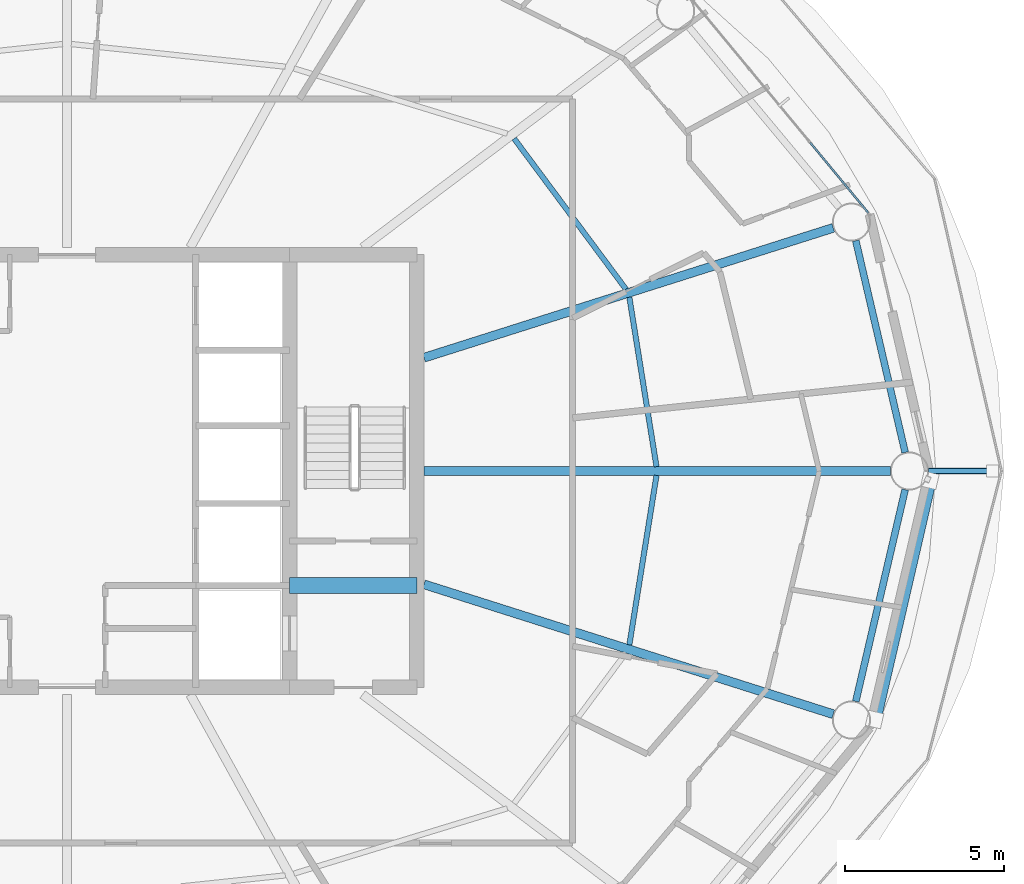
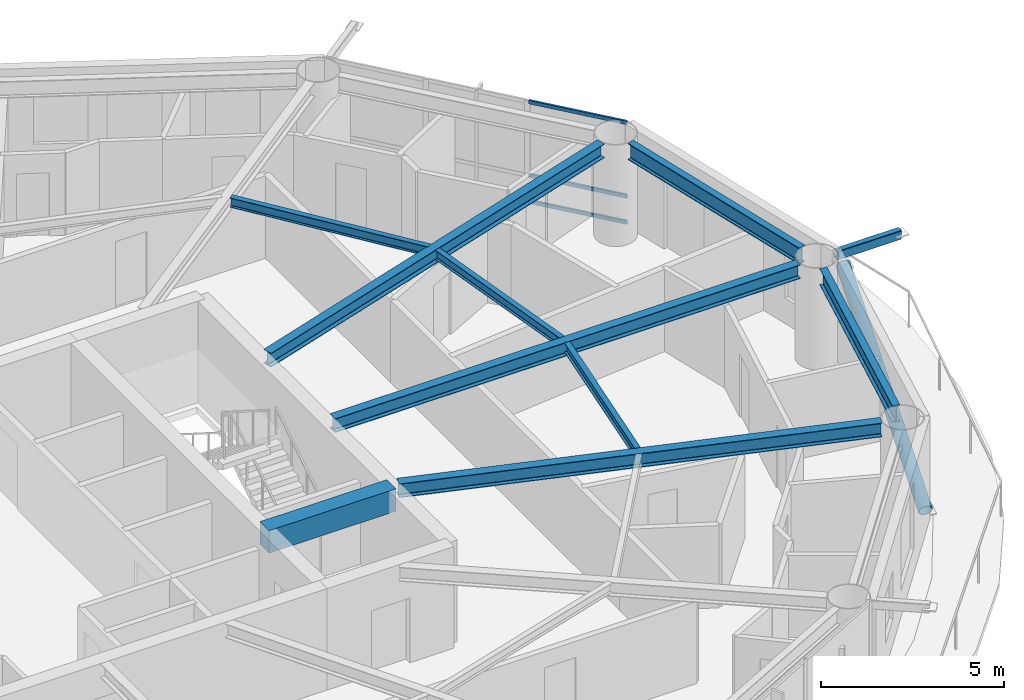
# One storey, part 8 of 28: 9 beams, 5 members, 1 element without a shape of its own.
"""IFC4 building model written with IfcOpenShell, lengths in metres."""

from ifc_helpers import new_model, si_unit, direction, frame, origin, origin_2d, place, context, subcontext, project, spatial, rectangle, hollow_rectangle, hollow_circle, i_section, extrude, material, layer, layer_set, material_profile, profile_set, type_object, element, aggregate, save


model = new_model("IFC4")

# Units and contexts
model_context = context("Model", 3, precision=1e-05, world=origin(), true_north=direction((0.0, 1.0)))
body_context = subcontext(model_context, "Body", "Model", "MODEL_VIEW")
ifc_project = project(units=[si_unit("LENGTHUNIT", "METRE"), si_unit("AREAUNIT", "SQUARE_METRE"), si_unit("VOLUMEUNIT", "CUBIC_METRE"), si_unit("PLANEANGLEUNIT", "RADIAN"), si_unit("MASSUNIT", "GRAM", prefix="KILO")], contexts=[model_context])

# Site, building, storey
site_placement = place(None, origin())
site = spatial("IfcSite", under=ifc_project, at=site_placement, CompositionType="ELEMENT")
building_placement = place(site_placement, origin())
building = spatial("IfcBuilding", under=site, at=building_placement, Name="Sarneth Arch Tower", CompositionType="ELEMENT")
storey_placement = place(building_placement, frame((0.0, 0.0, 190.199951171875)))
storey = spatial("IfcBuildingStorey", under=building, at=storey_placement, Name="L48", CompositionType="ELEMENT", Elevation=190.199951171875)

# Beams
ifc_material_1 = material(Name="Steel S355", Category="steel")
ifc_material_profile_1 = material_profile(ifc_material_1, i_section(OverallWidth=0.1669921875, OverallDepth=0.31689453125, WebThickness=0.007568359375, FlangeThickness=0.01318359375, FilletRadius=0.012939453125, at=origin_2d()), Name="W310x52")
ifc_profile_set_1 = profile_set([ifc_material_profile_1], Name="Steel S355")
beam_type_1 = type_object("IfcBeamType", Name="BM-JOIST-310B", PredefinedType="JOIST", material=ifc_profile_set_1)
beam_1_placement = place(storey_placement, frame((66.533935546875, 42.13818359375, 3.221435546875), z_axis=(-0.158348792374, 0.987383238643, 0.0), x_axis=(-0.987383238643, -0.158348792374, 0.0)))
element("IfcBeam", 1, at=beam_1_placement, inside=storey, type_object=beam_type_1, Name="L48 Secondary floor joist 01", PredefinedType="JOIST", context=body_context, shape_type="SweptSolid", body=[
    extrude(i_section(OverallWidth=0.1669921875, OverallDepth=0.31689453125, WebThickness=0.007568359375, FlangeThickness=0.01318359375, FilletRadius=0.012939453125, at=origin_2d()), origin(), (0.0, 0.0, 1.0), 5.394775390625),
])
beam_2_placement = place(storey_placement, frame((65.57421875, 47.715576171875, 3.221435546875), z_axis=(-0.596190586674, 0.802842938788, 0.0), x_axis=(-0.802842938788, -0.596190586674, 0.0)))
element("IfcBeam", 2, at=beam_2_placement, inside=storey, type_object=beam_type_1, Name="L48 Secondary floor joist 02", PredefinedType="JOIST", context=body_context, shape_type="SweptSolid", body=[
    extrude(i_section(OverallWidth=0.1669921875, OverallDepth=0.31689453125, WebThickness=0.007568359375, FlangeThickness=0.01318359375, FilletRadius=0.012939453125, at=origin_2d()), origin(), (0.0, 0.0, 1.0), 5.896484375),
])
beam_3_placement = place(storey_placement, frame((65.6796875, 36.53515625, 3.221435546875), z_axis=(0.158348792374, 0.987383238643, 0.0), x_axis=(-0.987383238643, 0.158348792374, 0.0)))
element("IfcBeam", 3, at=beam_3_placement, inside=storey, type_object=beam_type_1, Name="L48 Secondary floor joist 16", PredefinedType="JOIST", context=body_context, shape_type="SweptSolid", body=[
    extrude(i_section(OverallWidth=0.1669921875, OverallDepth=0.31689453125, WebThickness=0.007568359375, FlangeThickness=0.01318359375, FilletRadius=0.012939453125, at=origin_2d()), origin(), (0.0, 0.0, 1.0), 5.394775390625),
])
ifc_material_2 = material(Name="Concrete C50/60", Category="concrete")
ifc_material_profile_2 = material_profile(ifc_material_2, rectangle(XDim=0.5, YDim=0.75, at=origin_2d()), Name="RC-500x750")
ifc_profile_set_2 = profile_set([ifc_material_profile_2], Name="Concrete C50/60")
beam_type_2 = type_object("IfcBeamType", Name="BM-LINTEL-RC", PredefinedType="LINTEL", material=ifc_profile_set_2)
beam_4_placement = place(storey_placement, frame((55.0, 38.39990234375, 3.005126953125), z_axis=(1.0, 0.0, 0.0), x_axis=(0.0, 1.0, 0.0)))
element("IfcBeam", 4, at=beam_4_placement, inside=storey, type_object=beam_type_2, Name="L48 Core coupling lintel E", PredefinedType="LINTEL", context=body_context, shape_type="SweptSolid", body=[
    extrude(rectangle(XDim=0.5, YDim=0.75, at=origin_2d()), origin(), (0.0, 0.0, 1.0), 4.0),
])
ifc_material_3 = material(Name="Steel S355", Category="steel")
ifc_material_profile_3 = material_profile(ifc_material_3, i_section(OverallWidth=0.280029296875, OverallDepth=0.462890625, WebThickness=0.0107421875, FlangeThickness=0.017333984375, FilletRadius=0.01806640625, at=origin_2d()), Name="W460x113")
ifc_profile_set_3 = profile_set([ifc_material_profile_3], Name="Steel S355")
beam_type_3 = type_object("IfcBeamType", Name="BM-RAD-460A", PredefinedType="BEAM", material=ifc_profile_set_3)
beam_5_placement = place(storey_placement, frame((59.22509765625, 42.0, 3.1484375), z_axis=(1.0, 0.0, 0.0), x_axis=(0.0, 1.0, 0.0)))
element("IfcBeam", 5, at=beam_5_placement, inside=storey, type_object=beam_type_3, Name="L48 Radial floor girder 01", PredefinedType="BEAM", context=body_context, shape_type="SweptSolid", body=[
    extrude(i_section(OverallWidth=0.280029296875, OverallDepth=0.462890625, WebThickness=0.0107421875, FlangeThickness=0.017333984375, FilletRadius=0.01806640625, at=origin_2d()), origin(), (0.0, 0.0, 1.0), 14.661865234375),
])
for number, where, z_axis, x_axis, name in (
    (6, (59.22509765625, 45.56201171875, 3.1484375), (0.95316541071, 0.30244949963, 0.0), (-0.30244949963, 0.95316541071, 0.0), "L48 Radial floor girder 02"),
    (7, (59.22509765625, 38.43798828125, 3.1484375), (0.95316541071, -0.30244949963, 0.0), (0.30244949963, 0.95316541071, 0.0), "L48 Radial floor girder 16"),
):
    element("IfcBeam", number, at=place(storey_placement, frame(where, z_axis=z_axis, x_axis=x_axis)), inside=storey, type_object=beam_type_3, Name=name, PredefinedType="BEAM", context=body_context, shape_type="SweptSolid", body=[
        extrude(i_section(OverallWidth=0.280029296875, OverallDepth=0.462890625, WebThickness=0.0107421875, FlangeThickness=0.017333984375, FilletRadius=0.01806640625, at=origin_2d()), origin(), (0.0, 0.0, 1.0), 13.497314453125),
    ])
ifc_material_4 = material(Name="Steel S355", Category="steel")
ifc_material_profile_4 = material_profile(ifc_material_4, i_section(OverallWidth=0.214111328125, OverallDepth=0.549072265625, WebThickness=0.0146484375, FlangeThickness=0.023681640625, FilletRadius=0.01806640625, at=origin_2d()), Name="W530x138")
ifc_profile_set_4 = profile_set([ifc_material_profile_4], Name="Steel S355")
beam_type_4 = type_object("IfcBeamType", Name="BM-RAD-530A", PredefinedType="BEAM", material=ifc_profile_set_4)
for number, where, z_axis, x_axis, name in (
    (8, (74.350830078125, 42.584228515625, 3.10546875), (-0.227109937572, 0.973869126863, 0.0), (-0.973869126863, -0.227109937572, 0.0), "L48 Perimeter spandrel beam 01"),
    (9, (72.79833984375, 34.758544921875, 3.10546875), (0.227109937572, 0.973869126863, 0.0), (-0.973869126863, 0.227109937572, 0.0), "L48 Perimeter spandrel beam 16"),
):
    element("IfcBeam", number, at=place(storey_placement, frame(where, z_axis=z_axis, x_axis=x_axis)), inside=storey, type_object=beam_type_4, Name=name, PredefinedType="BEAM", context=body_context, shape_type="SweptSolid", body=[
        extrude(i_section(OverallWidth=0.214111328125, OverallDepth=0.549072265625, WebThickness=0.0146484375, FlangeThickness=0.023681640625, FilletRadius=0.01806640625, at=origin_2d()), origin(), (0.0, 0.0, 1.0), 6.8359375),
    ])

# Curtain wall, members
ifc_material_5 = material(Name="Anodised aluminium Type AA25 and solar-control low-e laminated IGU", Category="aluminium")
ifc_layer = layer(ifc_material_5, 0.169921875)
ifc_layer_set = layer_set([ifc_layer], Name="Anodised aluminium Type AA25 and solar-control low-e laminated IGU")
curtain_wall_type = type_object("IfcCurtainWallType", Name="CW-RES-MID", PredefinedType="NOTDEFINED", material=ifc_layer_set)
curtain_wall_placement = place(storey_placement, origin())
curtain_wall = element("IfcCurtainWall", 10, at=curtain_wall_placement, inside=storey, type_object=curtain_wall_type, Name="L48 Unitised curtain wall facet 02", PredefinedType="NOTDEFINED")
ifc_material_6 = material(Name="Anodised Aluminium 6063-T6", Category="aluminium")
ifc_material_profile_5 = material_profile(ifc_material_6, hollow_rectangle(XDim=0.06005859375, YDim=0.1201171875, WallThickness=0.00390625, at=origin_2d()), Name="AL-TRAN-120x60x4")
ifc_profile_set_5 = profile_set([ifc_material_profile_5], Name="Anodised Aluminium 6063-T6")
member_type_1 = type_object("IfcMemberType", Name="CW-TRANSOM", PredefinedType="USERDEFINED", material=ifc_profile_set_5)
member_1_placement = place(storey_placement, frame((73.194091796875, 50.11328125, 0.030029296875), z_axis=(-0.637358651504, 0.770567290607, 0.0), x_axis=(-0.770567290607, -0.637358651504, 0.0)))
member_1 = element("IfcMember", 11, at=member_1_placement, type_object=member_type_1, Name="CW-SYS-5 transom 1.1", ObjectType="TRANSOM", PredefinedType="USERDEFINED", context=body_context, shape_type="SweptSolid", body=[
    extrude(hollow_rectangle(XDim=0.06005859375, YDim=0.1201171875, WallThickness=0.00390625, at=origin_2d()), origin(), (0.0, 0.0, 1.0), 2.8681640625),
])
member_2_placement = place(storey_placement, frame((73.194091796875, 50.11328125, 0.900146484375), z_axis=(-0.637358651504, 0.770567290607, 0.0), x_axis=(-0.770567290607, -0.637358651504, 0.0)))
member_2 = element("IfcMember", 12, at=member_2_placement, type_object=member_type_1, Name="CW-SYS-5 transom 1.2", ObjectType="TRANSOM", PredefinedType="USERDEFINED", context=body_context, shape_type="SweptSolid", body=[
    extrude(hollow_rectangle(XDim=0.06005859375, YDim=0.1201171875, WallThickness=0.00390625, at=origin_2d()), origin(), (0.0, 0.0, 1.0), 2.8681640625),
])
member_3_placement = place(storey_placement, frame((73.194091796875, 50.11328125, 3.35009765625), z_axis=(-0.637358651504, 0.770567290607, 0.0), x_axis=(-0.770567290607, -0.637358651504, 0.0)))
member_3 = element("IfcMember", 13, at=member_3_placement, type_object=member_type_1, Name="CW-SYS-5 transom 1.3", ObjectType="TRANSOM", PredefinedType="USERDEFINED", context=body_context, shape_type="SweptSolid", body=[
    extrude(hollow_rectangle(XDim=0.06005859375, YDim=0.1201171875, WallThickness=0.00390625, at=origin_2d()), origin(), (0.0, 0.0, 1.0), 2.8681640625),
])
aggregate(curtain_wall, [member_1, member_2, member_3])

# Members
ifc_material_7 = material(Name="Steel S355", Category="steel")
ifc_material_profile_6 = material_profile(ifc_material_7, hollow_rectangle(XDim=0.199951171875, YDim=0.300048828125, WallThickness=0.012451171875, InnerFilletRadius=0.018798828125, OuterFilletRadius=0.03125, at=origin_2d()), Name="RHS300x200x12.5")
ifc_profile_set_6 = profile_set([ifc_material_profile_6], Name="Steel S355")
member_type_2 = type_object("IfcMemberType", Name="MEM-CANT-STRUT", PredefinedType="STRUT", material=ifc_profile_set_6)
member_4_placement = place(storey_placement, frame((75.0869140625, 42.0, 3.219970703125), z_axis=(1.0, 0.0, 0.0), x_axis=(0.0, 1.0, 0.0)))
element("IfcMember", 14, at=member_4_placement, inside=storey, type_object=member_type_2, Name="L48 Balcony cantilever bracket 01", PredefinedType="STRUT", context=body_context, shape_type="SweptSolid", body=[
    extrude(hollow_rectangle(XDim=0.199951171875, YDim=0.300048828125, WallThickness=0.012451171875, InnerFilletRadius=0.018798828125, OuterFilletRadius=0.03125, at=origin_2d()), origin(), (0.0, 0.0, 1.0), 2.00830078125),
])
ifc_material_8 = material(Name="Steel S355", Category="steel")
ifc_material_profile_7 = material_profile(ifc_material_8, hollow_circle(Radius=0.202880859375, WallThickness=0.01611328125, at=origin_2d()), Name="CHS406x16")
ifc_profile_set_7 = profile_set([ifc_material_profile_7], Name="Steel S355")
member_type_3 = type_object("IfcMemberType", Name="MEM-DIAG-BR2", PredefinedType="BRACE", material=ifc_profile_set_7)
member_5_placement = place(storey_placement, frame((73.390380859375, 34.18701171875, 0.02001953125), z_axis=(0.209646277215, 0.90691666474, 0.365445757488), x_axis=(-0.974306903917, 0.225224459107, 0.0)))
element("IfcMember", 15, at=member_5_placement, inside=storey, type_object=member_type_3, Name="L48 Perimeter frame diagonal 16", PredefinedType="BRACE", context=body_context, shape_type="SweptSolid", body=[
    extrude(hollow_circle(Radius=0.202880859375, WallThickness=0.01611328125, at=origin_2d()), origin(), (0.0, 0.0, 1.0), 8.292724609375),
])

save(model, "model.ifc")
